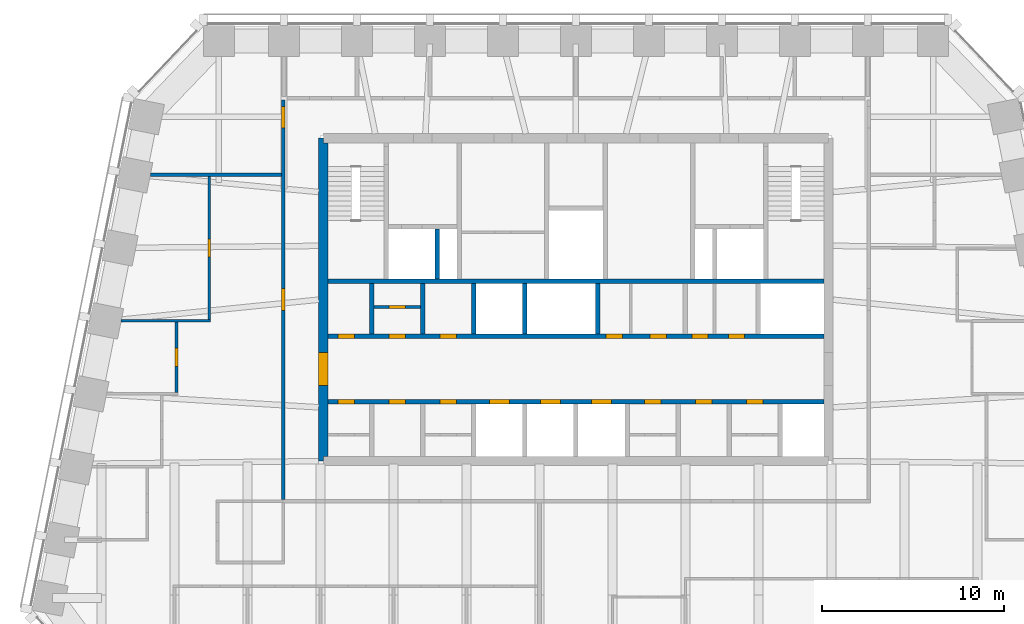
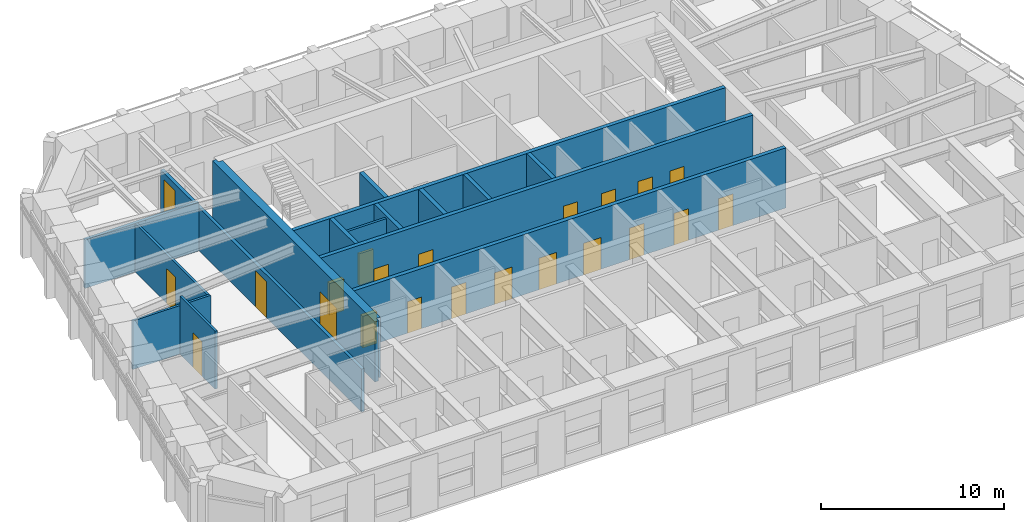
# One storey, part 6 of 12: 22 doors, 16 walls, 22 openings.
"""IFC4 building model written with IfcOpenShell, lengths in metres."""

from ifc_helpers import new_model, si_unit, direction, frame, frame_2d, origin, place, context, subcontext, project, spatial, polyline, rectangle, outline, extrude, material, layer, layer_set, type_object, element, fill, save


model = new_model("IFC4")

# Units and contexts
model_context = context("Model", 3, precision=1e-05, world=origin(), true_north=direction((0.0, 1.0)))
body_context = subcontext(model_context, "Body", "Model", "MODEL_VIEW")
ifc_project = project(units=[si_unit("LENGTHUNIT", "METRE"), si_unit("AREAUNIT", "SQUARE_METRE"), si_unit("VOLUMEUNIT", "CUBIC_METRE"), si_unit("PLANEANGLEUNIT", "RADIAN"), si_unit("MASSUNIT", "GRAM", prefix="KILO")], contexts=[model_context])

# Site, building, storey
site_placement = place(None, origin())
site = spatial("IfcSite", under=ifc_project, at=site_placement, CompositionType="ELEMENT")
building_placement = place(site_placement, origin())
building = spatial("IfcBuilding", under=site, at=building_placement, Name="Isbrekke Arena Tower", CompositionType="ELEMENT")
storey_placement = place(building_placement, frame((0.0, 0.0, 292.0)))
storey = spatial("IfcBuildingStorey", under=building, at=storey_placement, Name="L68", CompositionType="ELEMENT", Elevation=292.0)

# Wall, opening, door
ifc_material_1 = material(Name="Concrete B55 (C55/67)", Category="concrete")
ifc_layer_1 = layer(ifc_material_1, 0.5)
ifc_layer_set_1 = layer_set([ifc_layer_1], Name="CW5 CORE WALL 500")
wall_type_1 = type_object("IfcWallType", Name="CW5 CORE WALL 500", PredefinedType="SHEAR", material=ifc_layer_set_1)
wall_1_placement = place(storey_placement, frame((-13.85009765625, 23.85009765625, 0.0), z_axis=(0.0, 0.0, 1.0), x_axis=(0.0, -1.0, 0.0)))
wall_1 = element("IfcWall", 1, at=wall_1_placement, inside=storey, type_object=wall_type_1, Name="Core wall W L68", PredefinedType="SHEAR", context=body_context, shape_type="SweptSolid", body=[
    extrude(outline(polyline([(0.0, -0.25), (17.7001953125, -0.25), (17.7001953125, 0.0), (17.4501953125, 0.0), (17.4501953125, 0.25), (0.25, 0.25), (0.25, 0.0), (0.0, 0.0), (0.0, -0.25)])), origin(), (0.0, 0.0, 1.0), 4.0),
])
opening_1_placement = place(wall_1_placement, frame((11.75, 0.0, 0.0)))
opening_1 = element("IfcOpeningElement", 2, at=opening_1_placement, cuts=wall_1, Name="Opening D1", PredefinedType="OPENING", context=body_context, shape_type="SweptSolid", body=[
    extrude(rectangle(XDim=1.800048828125, YDim=2.39990234375, at=frame_2d((0.89990234375, 1.199951171875))), frame((0.0, 0.264892578125, 0.0), z_axis=(0.0, -1.0, 0.0), x_axis=(1.0, 0.0, 0.0)), (0.0, 0.0, 1.0), 0.52978515625),
])
ifc_material_2 = material(Name="Steel-framed glazed fire door", Category="steel")
door_type_1 = type_object("IfcDoorType", Name="D1 CORE LOBBY DOOR 1800 x 2400", OperationType="DOUBLE_DOOR_SINGLE_SWING", PredefinedType="DOOR", material=ifc_material_2)
door_1_placement = place(opening_1_placement, origin())
door_1 = element("IfcDoor", 3, at=door_1_placement, inside=storey, type_object=door_type_1, Name="D1 lift lobby door west L68", OperationType="DOUBLE_DOOR_SINGLE_SWING", OverallHeight=2.39990234375, OverallWidth=1.800048828125, PredefinedType="DOOR", context=body_context, shape_type="SweptSolid", body=[
    extrude(rectangle(XDim=1.800048828125, YDim=2.39990234375, at=frame_2d((0.89990234375, 1.199951171875))), frame((0.0, 0.249755859375, 0.0), z_axis=(0.0, -1.0, 0.0), x_axis=(1.0, 0.0, 0.0)), (0.0, 0.0, 1.0), 0.49951171875),
])
fill(opening_1, door_1)

# Wall, openings, doors
ifc_material_3 = material(Name="Concrete B45 (C45/55)", Category="concrete")
ifc_layer_2 = layer(ifc_material_3, 0.25)
ifc_layer_set_2 = layer_set([ifc_layer_2], Name="CW6 SHAFT WALL 250")
wall_type_2 = type_object("IfcWallType", Name="CW6 SHAFT WALL 250", PredefinedType="SHEAR", material=ifc_layer_set_2)
wall_2_placement = place(storey_placement, frame((-13.60009765625, 9.39990234375, 0.0), z_axis=(0.0, 0.0, 1.0), x_axis=(1.0, 0.0, 0.0)))
wall_2 = element("IfcWall", 4, at=wall_2_placement, inside=storey, type_object=wall_type_2, Name="Core wall LS L68", PredefinedType="SHEAR", context=body_context, shape_type="SweptSolid", body=[
    extrude(rectangle(XDim=27.2001953125, YDim=0.25, at=frame_2d((13.60009765625, 0.0))), origin(), (0.0, 0.0, 1.0), 4.0),
])
opening_2_placement = place(wall_2_placement, frame((8.85009765625, 0.0, 0.0)))
opening_2 = element("IfcOpeningElement", 5, at=opening_2_placement, cuts=wall_2, Name="Opening LD1", PredefinedType="OPENING", context=body_context, shape_type="SweptSolid", body=[
    extrude(rectangle(XDim=1.10009765625, YDim=2.10009765625, at=frame_2d((0.550048828125, 1.050048828125))), frame((0.0, 0.139892578125, 0.0), z_axis=(0.0, -1.0, 0.0), x_axis=(1.0, 0.0, 0.0)), (0.0, 0.0, 1.0), 0.27978515625),
])
opening_3_placement = place(wall_2_placement, frame((11.64990234375, 0.0, 0.0)))
opening_3 = element("IfcOpeningElement", 6, at=opening_3_placement, cuts=wall_2, Name="Opening LD1", PredefinedType="OPENING", context=body_context, shape_type="SweptSolid", body=[
    extrude(rectangle(XDim=1.10009765625, YDim=2.10009765625, at=frame_2d((0.550048828125, 1.050048828125))), frame((0.0, 0.139892578125, 0.0), z_axis=(0.0, -1.0, 0.0), x_axis=(1.0, 0.0, 0.0)), (0.0, 0.0, 1.0), 0.27978515625),
])
opening_4_placement = place(wall_2_placement, frame((14.449951171875, 0.0, 0.0)))
opening_4 = element("IfcOpeningElement", 7, at=opening_4_placement, cuts=wall_2, Name="Opening LD1", PredefinedType="OPENING", context=body_context, shape_type="SweptSolid", body=[
    extrude(rectangle(XDim=1.10009765625, YDim=2.10009765625, at=frame_2d((0.550048828125, 1.050048828125))), frame((0.0, 0.139892578125, 0.0), z_axis=(0.0, -1.0, 0.0), x_axis=(1.0, 0.0, 0.0)), (0.0, 0.0, 1.0), 0.27978515625),
])
opening_5_placement = place(wall_2_placement, frame((0.550048828125, 0.0, 0.0)))
opening_5 = element("IfcOpeningElement", 8, at=opening_5_placement, cuts=wall_2, Name="Opening D5", PredefinedType="OPENING", context=body_context, shape_type="SweptSolid", body=[
    extrude(rectangle(XDim=0.89990234375, YDim=2.10009765625, at=frame_2d((0.449951171875, 1.050048828125))), frame((0.0, 0.139892578125, 0.0), z_axis=(0.0, -1.0, 0.0), x_axis=(1.0, 0.0, 0.0)), (0.0, 0.0, 1.0), 0.27978515625),
])
opening_6_placement = place(wall_2_placement, frame((3.35009765625, 0.0, 0.0)))
opening_6 = element("IfcOpeningElement", 9, at=opening_6_placement, cuts=wall_2, Name="Opening D5", PredefinedType="OPENING", context=body_context, shape_type="SweptSolid", body=[
    extrude(rectangle(XDim=0.89990234375, YDim=2.10009765625, at=frame_2d((0.449951171875, 1.050048828125))), frame((0.0, 0.139892578125, 0.0), z_axis=(0.0, -1.0, 0.0), x_axis=(1.0, 0.0, 0.0)), (0.0, 0.0, 1.0), 0.27978515625),
])
opening_7_placement = place(wall_2_placement, frame((6.14990234375, 0.0, 0.0)))
opening_7 = element("IfcOpeningElement", 10, at=opening_7_placement, cuts=wall_2, Name="Opening D5", PredefinedType="OPENING", context=body_context, shape_type="SweptSolid", body=[
    extrude(rectangle(XDim=0.89990234375, YDim=2.10009765625, at=frame_2d((0.449951171875, 1.050048828125))), frame((0.0, 0.139892578125, 0.0), z_axis=(0.0, -1.0, 0.0), x_axis=(1.0, 0.0, 0.0)), (0.0, 0.0, 1.0), 0.27978515625),
])
opening_8_placement = place(wall_2_placement, frame((17.35009765625, 0.0, 0.0)))
opening_8 = element("IfcOpeningElement", 11, at=opening_8_placement, cuts=wall_2, Name="Opening D5", PredefinedType="OPENING", context=body_context, shape_type="SweptSolid", body=[
    extrude(rectangle(XDim=0.89990234375, YDim=2.10009765625, at=frame_2d((0.449951171875, 1.050048828125))), frame((0.0, 0.139892578125, 0.0), z_axis=(0.0, -1.0, 0.0), x_axis=(1.0, 0.0, 0.0)), (0.0, 0.0, 1.0), 0.27978515625),
])
opening_9_placement = place(wall_2_placement, frame((20.14990234375, 0.0, 0.0)))
opening_9 = element("IfcOpeningElement", 12, at=opening_9_placement, cuts=wall_2, Name="Opening D5", PredefinedType="OPENING", context=body_context, shape_type="SweptSolid", body=[
    extrude(rectangle(XDim=0.89990234375, YDim=2.10009765625, at=frame_2d((0.449951171875, 1.050048828125))), frame((0.0, 0.139892578125, 0.0), z_axis=(0.0, -1.0, 0.0), x_axis=(1.0, 0.0, 0.0)), (0.0, 0.0, 1.0), 0.27978515625),
])
opening_10_placement = place(wall_2_placement, frame((22.949951171875, 0.0, 0.0)))
opening_10 = element("IfcOpeningElement", 13, at=opening_10_placement, cuts=wall_2, Name="Opening D5", PredefinedType="OPENING", context=body_context, shape_type="SweptSolid", body=[
    extrude(rectangle(XDim=0.89990234375, YDim=2.10009765625, at=frame_2d((0.449951171875, 1.050048828125))), frame((0.0, 0.139892578125, 0.0), z_axis=(0.0, -1.0, 0.0), x_axis=(1.0, 0.0, 0.0)), (0.0, 0.0, 1.0), 0.27978515625),
])
ifc_material_4 = material(Name="Steel fire door", Category="steel")
door_type_2 = type_object("IfcDoorType", Name="D5 SERVICE DOOR 900 x 2100", OperationType="SINGLE_SWING_LEFT", PredefinedType="DOOR", material=ifc_material_4)
door_2_placement = place(opening_5_placement, origin())
door_2 = element("IfcDoor", 14, at=door_2_placement, inside=storey, type_object=door_type_2, Name="D5 first-aid room door L68", OperationType="SINGLE_SWING_LEFT", OverallHeight=2.10009765625, OverallWidth=0.89990234375, PredefinedType="DOOR", context=body_context, shape_type="SweptSolid", body=[
    extrude(rectangle(XDim=0.89990234375, YDim=2.10009765625, at=frame_2d((0.449951171875, 1.050048828125))), frame((0.0, 0.124755859375, 0.0), z_axis=(0.0, -1.0, 0.0), x_axis=(1.0, 0.0, 0.0)), (0.0, 0.0, 1.0), 0.24951171875),
])
fill(opening_5, door_2)
door_3_placement = place(opening_6_placement, origin())
door_3 = element("IfcDoor", 15, at=door_3_placement, inside=storey, type_object=door_type_2, Name="D5 tenant store door L68", OperationType="SINGLE_SWING_LEFT", OverallHeight=2.10009765625, OverallWidth=0.89990234375, PredefinedType="DOOR", context=body_context, shape_type="SweptSolid", body=[
    extrude(rectangle(XDim=0.89990234375, YDim=2.10009765625, at=frame_2d((0.449951171875, 1.050048828125))), frame((0.0, 0.124755859375, 0.0), z_axis=(0.0, -1.0, 0.0), x_axis=(1.0, 0.0, 0.0)), (0.0, 0.0, 1.0), 0.24951171875),
])
fill(opening_6, door_3)
door_4_placement = place(opening_7_placement, origin())
door_4 = element("IfcDoor", 16, at=door_4_placement, inside=storey, type_object=door_type_2, Name="D5 print room door L68", OperationType="SINGLE_SWING_LEFT", OverallHeight=2.10009765625, OverallWidth=0.89990234375, PredefinedType="DOOR", context=body_context, shape_type="SweptSolid", body=[
    extrude(rectangle(XDim=0.89990234375, YDim=2.10009765625, at=frame_2d((0.449951171875, 1.050048828125))), frame((0.0, 0.124755859375, 0.0), z_axis=(0.0, -1.0, 0.0), x_axis=(1.0, 0.0, 0.0)), (0.0, 0.0, 1.0), 0.24951171875),
])
fill(opening_7, door_4)
door_5_placement = place(opening_8_placement, origin())
door_5 = element("IfcDoor", 17, at=door_5_placement, inside=storey, type_object=door_type_2, Name="D5 mothers' room door L68", OperationType="SINGLE_SWING_LEFT", OverallHeight=2.10009765625, OverallWidth=0.89990234375, PredefinedType="DOOR", context=body_context, shape_type="SweptSolid", body=[
    extrude(rectangle(XDim=0.89990234375, YDim=2.10009765625, at=frame_2d((0.449951171875, 1.050048828125))), frame((0.0, 0.124755859375, 0.0), z_axis=(0.0, -1.0, 0.0), x_axis=(1.0, 0.0, 0.0)), (0.0, 0.0, 1.0), 0.24951171875),
])
fill(opening_8, door_5)
door_6_placement = place(opening_9_placement, origin())
door_6 = element("IfcDoor", 18, at=door_6_placement, inside=storey, type_object=door_type_2, Name="D5 print room door L68", OperationType="SINGLE_SWING_LEFT", OverallHeight=2.10009765625, OverallWidth=0.89990234375, PredefinedType="DOOR", context=body_context, shape_type="SweptSolid", body=[
    extrude(rectangle(XDim=0.89990234375, YDim=2.10009765625, at=frame_2d((0.449951171875, 1.050048828125))), frame((0.0, 0.124755859375, 0.0), z_axis=(0.0, -1.0, 0.0), x_axis=(1.0, 0.0, 0.0)), (0.0, 0.0, 1.0), 0.24951171875),
])
fill(opening_9, door_6)
door_7_placement = place(opening_10_placement, origin())
door_7 = element("IfcDoor", 19, at=door_7_placement, inside=storey, type_object=door_type_2, Name="D5 pantry door L68", OperationType="SINGLE_SWING_LEFT", OverallHeight=2.10009765625, OverallWidth=0.89990234375, PredefinedType="DOOR", context=body_context, shape_type="SweptSolid", body=[
    extrude(rectangle(XDim=0.89990234375, YDim=2.10009765625, at=frame_2d((0.449951171875, 1.050048828125))), frame((0.0, 0.124755859375, 0.0), z_axis=(0.0, -1.0, 0.0), x_axis=(1.0, 0.0, 0.0)), (0.0, 0.0, 1.0), 0.24951171875),
])
fill(opening_10, door_7)
ifc_material_5 = material(Name="Stainless steel lift landing door", Category="steel")
door_type_3 = type_object("IfcDoorType", Name="LD1 LIFT LANDING DOOR 1100 x 2100", OperationType="SLIDING_TO_LEFT", PredefinedType="DOOR", material=ifc_material_5)
door_8_placement = place(opening_2_placement, origin())
door_8 = element("IfcDoor", 20, at=door_8_placement, inside=storey, type_object=door_type_3, Name="LD1 lift landing door LE L68", OperationType="SLIDING_TO_LEFT", OverallHeight=2.10009765625, OverallWidth=1.10009765625, PredefinedType="DOOR", context=body_context, shape_type="SweptSolid", body=[
    extrude(rectangle(XDim=1.10009765625, YDim=2.10009765625, at=frame_2d((0.550048828125, 1.050048828125))), frame((0.0, 0.124755859375, 0.0), z_axis=(0.0, -1.0, 0.0), x_axis=(1.0, 0.0, 0.0)), (0.0, 0.0, 1.0), 0.24951171875),
])
fill(opening_2, door_8)
door_9_placement = place(opening_3_placement, origin())
door_9 = element("IfcDoor", 21, at=door_9_placement, inside=storey, type_object=door_type_3, Name="LD1 lift landing door LE L68", OperationType="SLIDING_TO_LEFT", OverallHeight=2.10009765625, OverallWidth=1.10009765625, PredefinedType="DOOR", context=body_context, shape_type="SweptSolid", body=[
    extrude(rectangle(XDim=1.10009765625, YDim=2.10009765625, at=frame_2d((0.550048828125, 1.050048828125))), frame((0.0, 0.124755859375, 0.0), z_axis=(0.0, -1.0, 0.0), x_axis=(1.0, 0.0, 0.0)), (0.0, 0.0, 1.0), 0.24951171875),
])
fill(opening_3, door_9)
door_10_placement = place(opening_4_placement, origin())
door_10 = element("IfcDoor", 22, at=door_10_placement, inside=storey, type_object=door_type_3, Name="LD1 lift landing door LE L68", OperationType="SLIDING_TO_LEFT", OverallHeight=2.10009765625, OverallWidth=1.10009765625, PredefinedType="DOOR", context=body_context, shape_type="SweptSolid", body=[
    extrude(rectangle(XDim=1.10009765625, YDim=2.10009765625, at=frame_2d((0.550048828125, 1.050048828125))), frame((0.0, 0.124755859375, 0.0), z_axis=(0.0, -1.0, 0.0), x_axis=(1.0, 0.0, 0.0)), (0.0, 0.0, 1.0), 0.24951171875),
])
fill(opening_4, door_10)

wall_3_placement = place(storey_placement, frame((-13.60009765625, 13.0, 0.0), z_axis=(0.0, 0.0, 1.0), x_axis=(1.0, 0.0, 0.0)))
wall_3 = element("IfcWall", 23, at=wall_3_placement, inside=storey, type_object=wall_type_2, Name="Core wall LN L68", PredefinedType="SHEAR", context=body_context, shape_type="SweptSolid", body=[
    extrude(rectangle(XDim=27.2001953125, YDim=0.25, at=frame_2d((13.60009765625, 0.0))), origin(), (0.0, 0.0, 1.0), 4.0),
])
opening_11_placement = place(wall_3_placement, frame((15.25, 0.0, 0.0)))
opening_11 = element("IfcOpeningElement", 24, at=opening_11_placement, cuts=wall_3, Name="Opening D5", PredefinedType="OPENING", context=body_context, shape_type="SweptSolid", body=[
    extrude(rectangle(XDim=0.89990234375, YDim=2.10009765625, at=frame_2d((0.449951171875, 1.050048828125))), frame((0.0, 0.139892578125, 0.0), z_axis=(0.0, -1.0, 0.0), x_axis=(1.0, 0.0, 0.0)), (0.0, 0.0, 1.0), 0.27978515625),
])
opening_12_placement = place(wall_3_placement, frame((17.64990234375, 0.0, 0.0)))
opening_12 = element("IfcOpeningElement", 25, at=opening_12_placement, cuts=wall_3, Name="Opening D5", PredefinedType="OPENING", context=body_context, shape_type="SweptSolid", body=[
    extrude(rectangle(XDim=0.89990234375, YDim=2.10009765625, at=frame_2d((0.449951171875, 1.050048828125))), frame((0.0, 0.139892578125, 0.0), z_axis=(0.0, -1.0, 0.0), x_axis=(1.0, 0.0, 0.0)), (0.0, 0.0, 1.0), 0.27978515625),
])
opening_13_placement = place(wall_3_placement, frame((19.949951171875, 0.0, 0.0)))
opening_13 = element("IfcOpeningElement", 26, at=opening_13_placement, cuts=wall_3, Name="Opening D5", PredefinedType="OPENING", context=body_context, shape_type="SweptSolid", body=[
    extrude(rectangle(XDim=0.89990234375, YDim=2.10009765625, at=frame_2d((0.449951171875, 1.050048828125))), frame((0.0, 0.139892578125, 0.0), z_axis=(0.0, -1.0, 0.0), x_axis=(1.0, 0.0, 0.0)), (0.0, 0.0, 1.0), 0.27978515625),
])
opening_14_placement = place(wall_3_placement, frame((21.949951171875, 0.0, 0.0)))
opening_14 = element("IfcOpeningElement", 27, at=opening_14_placement, cuts=wall_3, Name="Opening D5", PredefinedType="OPENING", context=body_context, shape_type="SweptSolid", body=[
    extrude(rectangle(XDim=0.89990234375, YDim=2.10009765625, at=frame_2d((0.449951171875, 1.050048828125))), frame((0.0, 0.139892578125, 0.0), z_axis=(0.0, -1.0, 0.0), x_axis=(1.0, 0.0, 0.0)), (0.0, 0.0, 1.0), 0.27978515625),
])
opening_15_placement = place(wall_3_placement, frame((0.550048828125, 0.0, 0.0)))
opening_15 = element("IfcOpeningElement", 28, at=opening_15_placement, cuts=wall_3, Name="Opening D5", PredefinedType="OPENING", context=body_context, shape_type="SweptSolid", body=[
    extrude(rectangle(XDim=0.89990234375, YDim=2.10009765625, at=frame_2d((0.449951171875, 1.050048828125))), frame((0.0, 0.139892578125, 0.0), z_axis=(0.0, -1.0, 0.0), x_axis=(1.0, 0.0, 0.0)), (0.0, 0.0, 1.0), 0.27978515625),
])
opening_16_placement = place(wall_3_placement, frame((3.35009765625, 0.0, 0.0)))
opening_16 = element("IfcOpeningElement", 29, at=opening_16_placement, cuts=wall_3, Name="Opening D5", PredefinedType="OPENING", context=body_context, shape_type="SweptSolid", body=[
    extrude(rectangle(XDim=0.89990234375, YDim=2.10009765625, at=frame_2d((0.449951171875, 1.050048828125))), frame((0.0, 0.139892578125, 0.0), z_axis=(0.0, -1.0, 0.0), x_axis=(1.0, 0.0, 0.0)), (0.0, 0.0, 1.0), 0.27978515625),
])
opening_17_placement = place(wall_3_placement, frame((6.14990234375, 0.0, 0.0)))
opening_17 = element("IfcOpeningElement", 30, at=opening_17_placement, cuts=wall_3, Name="Opening D5", PredefinedType="OPENING", context=body_context, shape_type="SweptSolid", body=[
    extrude(rectangle(XDim=0.89990234375, YDim=2.10009765625, at=frame_2d((0.449951171875, 1.050048828125))), frame((0.0, 0.139892578125, 0.0), z_axis=(0.0, -1.0, 0.0), x_axis=(1.0, 0.0, 0.0)), (0.0, 0.0, 1.0), 0.27978515625),
])
door_11_placement = place(opening_11_placement, origin())
door_11 = element("IfcDoor", 31, at=door_11_placement, inside=storey, type_object=door_type_2, Name="D5 first-aid room door L68", OperationType="SINGLE_SWING_LEFT", OverallHeight=2.10009765625, OverallWidth=0.89990234375, PredefinedType="DOOR", context=body_context, shape_type="SweptSolid", body=[
    extrude(rectangle(XDim=0.89990234375, YDim=2.10009765625, at=frame_2d((0.449951171875, 1.050048828125))), frame((0.0, 0.124755859375, 0.0), z_axis=(0.0, -1.0, 0.0), x_axis=(1.0, 0.0, 0.0)), (0.0, 0.0, 1.0), 0.24951171875),
])
fill(opening_11, door_11)
door_12_placement = place(opening_12_placement, origin())
door_12 = element("IfcDoor", 32, at=door_12_placement, inside=storey, type_object=door_type_2, Name="D5 cleaner's store door L68", OperationType="SINGLE_SWING_LEFT", OverallHeight=2.10009765625, OverallWidth=0.89990234375, PredefinedType="DOOR", context=body_context, shape_type="SweptSolid", body=[
    extrude(rectangle(XDim=0.89990234375, YDim=2.10009765625, at=frame_2d((0.449951171875, 1.050048828125))), frame((0.0, 0.124755859375, 0.0), z_axis=(0.0, -1.0, 0.0), x_axis=(1.0, 0.0, 0.0)), (0.0, 0.0, 1.0), 0.24951171875),
])
fill(opening_12, door_12)
door_13_placement = place(opening_13_placement, origin())
door_13 = element("IfcDoor", 33, at=door_13_placement, inside=storey, type_object=door_type_2, Name="D5 tenant store door L68", OperationType="SINGLE_SWING_LEFT", OverallHeight=2.10009765625, OverallWidth=0.89990234375, PredefinedType="DOOR", context=body_context, shape_type="SweptSolid", body=[
    extrude(rectangle(XDim=0.89990234375, YDim=2.10009765625, at=frame_2d((0.449951171875, 1.050048828125))), frame((0.0, 0.124755859375, 0.0), z_axis=(0.0, -1.0, 0.0), x_axis=(1.0, 0.0, 0.0)), (0.0, 0.0, 1.0), 0.24951171875),
])
fill(opening_13, door_13)
door_14_placement = place(opening_14_placement, origin())
door_14 = element("IfcDoor", 34, at=door_14_placement, inside=storey, type_object=door_type_2, Name="D5 communications room door L68", OperationType="SINGLE_SWING_LEFT", OverallHeight=2.10009765625, OverallWidth=0.89990234375, PredefinedType="DOOR", context=body_context, shape_type="SweptSolid", body=[
    extrude(rectangle(XDim=0.89990234375, YDim=2.10009765625, at=frame_2d((0.449951171875, 1.050048828125))), frame((0.0, 0.124755859375, 0.0), z_axis=(0.0, -1.0, 0.0), x_axis=(1.0, 0.0, 0.0)), (0.0, 0.0, 1.0), 0.24951171875),
])
fill(opening_14, door_14)
door_15_placement = place(opening_15_placement, origin())
door_15 = element("IfcDoor", 35, at=door_15_placement, inside=storey, type_object=door_type_2, Name="D5 archive door L68", OperationType="SINGLE_SWING_LEFT", OverallHeight=2.10009765625, OverallWidth=0.89990234375, PredefinedType="DOOR", context=body_context, shape_type="SweptSolid", body=[
    extrude(rectangle(XDim=0.89990234375, YDim=2.10009765625, at=frame_2d((0.449951171875, 1.050048828125))), frame((0.0, 0.124755859375, 0.0), z_axis=(0.0, -1.0, 0.0), x_axis=(1.0, 0.0, 0.0)), (0.0, 0.0, 1.0), 0.24951171875),
])
fill(opening_15, door_15)
door_16_placement = place(opening_16_placement, origin())
door_16 = element("IfcDoor", 36, at=door_16_placement, inside=storey, type_object=door_type_2, Name="D5 pantry door L68", OperationType="SINGLE_SWING_LEFT", OverallHeight=2.10009765625, OverallWidth=0.89990234375, PredefinedType="DOOR", context=body_context, shape_type="SweptSolid", body=[
    extrude(rectangle(XDim=0.89990234375, YDim=2.10009765625, at=frame_2d((0.449951171875, 1.050048828125))), frame((0.0, 0.124755859375, 0.0), z_axis=(0.0, -1.0, 0.0), x_axis=(1.0, 0.0, 0.0)), (0.0, 0.0, 1.0), 0.24951171875),
])
fill(opening_16, door_16)
door_17_placement = place(opening_17_placement, origin())
door_17 = element("IfcDoor", 37, at=door_17_placement, inside=storey, type_object=door_type_2, Name="D5 technical room door L68", OperationType="SINGLE_SWING_LEFT", OverallHeight=2.10009765625, OverallWidth=0.89990234375, PredefinedType="DOOR", context=body_context, shape_type="SweptSolid", body=[
    extrude(rectangle(XDim=0.89990234375, YDim=2.10009765625, at=frame_2d((0.449951171875, 1.050048828125))), frame((0.0, 0.124755859375, 0.0), z_axis=(0.0, -1.0, 0.0), x_axis=(1.0, 0.0, 0.0)), (0.0, 0.0, 1.0), 0.24951171875),
])
fill(opening_17, door_17)

# Walls
wall_4_placement = place(storey_placement, frame((-13.60009765625, 16.0, 0.0), z_axis=(0.0, 0.0, 1.0), x_axis=(1.0, 0.0, 0.0)))
element("IfcWall", 38, at=wall_4_placement, inside=storey, type_object=wall_type_2, Name="Core wall NB L68", PredefinedType="SHEAR", context=body_context, shape_type="SweptSolid", body=[
    extrude(rectangle(XDim=27.2001953125, YDim=0.25, at=frame_2d((13.60009765625, 0.0))), origin(), (0.0, 0.0, 1.0), 4.0),
])
for number, where, z_axis, x_axis, name in (
    (39, (-11.199951171875, 13.125, 0.0), (0.0, 0.0, 1.0), (0.0, 1.0, 0.0), "Core wall SN01 L68"),
    (40, (-8.39990234375, 13.125, 0.0), (0.0, 0.0, 1.0), (0.0, 1.0, 0.0), "Core wall SN02 L68"),
    (41, (-5.60009765625, 13.125, 0.0), (0.0, 0.0, 1.0), (0.0, 1.0, 0.0), "Core wall SN03 L68"),
    (42, (-2.800048828125, 13.125, 0.0), (0.0, 0.0, 1.0), (0.0, 1.0, 0.0), "Core wall SN04 L68"),
    (43, (1.199951171875, 13.125, 0.0), (0.0, 0.0, 1.0), (0.0, 1.0, 0.0), "Core wall SN05 L68"),
    (44, (-7.60009765625, 16.125, 0.0), (0.0, 0.0, 1.0), (0.0, 1.0, 0.0), "Core wall NFS1 L68"),
):
    element("IfcWall", number, at=place(storey_placement, frame(where, z_axis=z_axis, x_axis=x_axis)), inside=storey, type_object=wall_type_2, Name=name, PredefinedType="SHEAR", context=body_context, shape_type="SweptSolid", body=[
        extrude(rectangle(XDim=2.75, YDim=0.25, at=frame_2d((1.375, 0.0))), origin(), (0.0, 0.0, 1.0), 4.0),
    ])
ifc_material_6 = material(Name="Gypsum board partition on steel studs", Category="steel")
ifc_layer_3 = layer(ifc_material_6, 0.14990234375)
ifc_layer_set_3 = layer_set([ifc_layer_3], Name="IW1 PARTITION 150")
wall_type_3 = type_object("IfcWallType", Name="IW1 PARTITION 150", PredefinedType="PARTITIONING", material=ifc_layer_set_3)
wall_5_placement = place(storey_placement, frame((-24.923828125, 13.840087890625, 0.0), z_axis=(0.0, 0.0, 1.0), x_axis=(1.0, 0.0, 0.0)))
element("IfcWall", 45, at=wall_5_placement, inside=storey, type_object=wall_type_3, Name="IW1 partition 150 L68", PredefinedType="PARTITIONING", context=body_context, shape_type="SweptSolid", body=[
    extrude(rectangle(XDim=4.89892578125, YDim=0.14990234375, at=frame_2d((2.449462890625, 0.0))), origin(), (0.0, 0.0, 1.0), 3.22998046875),
])

# Wall, opening, door
wall_6_placement = place(storey_placement, frame((-21.89990234375, 9.9150390625, 0.0), z_axis=(0.0, 0.0, 1.0), x_axis=(0.0, 1.0, 0.0)))
wall_6 = element("IfcWall", 46, at=wall_6_placement, inside=storey, type_object=wall_type_3, Name="IW1 partition 150 L68", PredefinedType="PARTITIONING", context=body_context, shape_type="SweptSolid", body=[
    extrude(rectangle(XDim=3.849853515625, YDim=0.14990234375, at=frame_2d((1.9248046875, 0.0))), origin(), (0.0, 0.0, 1.0), 3.85009765625),
])
opening_18_placement = place(wall_6_placement, frame((1.425048828125, 0.0, 0.0)))
opening_18 = element("IfcOpeningElement", 47, at=opening_18_placement, cuts=wall_6, Name="Opening D10", PredefinedType="OPENING", context=body_context, shape_type="SweptSolid", body=[
    extrude(rectangle(XDim=1.0, YDim=2.300048828125, at=frame_2d((0.5, 1.14990234375))), frame((0.0, 0.08984375, 0.0), z_axis=(0.0, -1.0, 0.0), x_axis=(1.0, 0.0, 0.0)), (0.0, 0.0, 1.0), 0.1796875),
])
ifc_material_7 = material(Name="Timber door", Category="wood")
door_type_4 = type_object("IfcDoorType", Name="D10 OFFICE DOOR 1000 x 2300", OperationType="SINGLE_SWING_LEFT", PredefinedType="DOOR", material=ifc_material_7)
door_18_placement = place(opening_18_placement, origin())
door_18 = element("IfcDoor", 48, at=door_18_placement, inside=storey, type_object=door_type_4, Name="D10 office door L68", OperationType="SINGLE_SWING_LEFT", OverallHeight=2.300048828125, OverallWidth=1.0, PredefinedType="DOOR", context=body_context, shape_type="SweptSolid", body=[
    extrude(rectangle(XDim=1.0, YDim=2.300048828125, at=frame_2d((0.5, 1.14990234375))), frame((0.0, 0.07470703125, 0.0), z_axis=(0.0, -1.0, 0.0), x_axis=(1.0, 0.0, 0.0)), (0.0, 0.0, 1.0), 0.1494140625),
])
fill(opening_18, door_18)

wall_7_placement = place(storey_placement, frame((-20.10009765625, 13.9150390625, 0.0), z_axis=(0.0, 0.0, 1.0), x_axis=(0.0, 1.0, 0.0)))
wall_7 = element("IfcWall", 49, at=wall_7_placement, inside=storey, type_object=wall_type_3, Name="IW1 partition 150 L68", PredefinedType="PARTITIONING", context=body_context, shape_type="SweptSolid", body=[
    extrude(rectangle(XDim=7.824951171875, YDim=0.14990234375, at=frame_2d((3.91259765625, 0.0))), origin(), (0.0, 0.0, 1.0), 3.22998046875),
])
opening_19_placement = place(wall_7_placement, frame((3.425048828125, 0.0, 0.0)))
opening_19 = element("IfcOpeningElement", 50, at=opening_19_placement, cuts=wall_7, Name="Opening D10", PredefinedType="OPENING", context=body_context, shape_type="SweptSolid", body=[
    extrude(rectangle(XDim=1.0, YDim=2.300048828125, at=frame_2d((0.5, 1.14990234375))), frame((0.0, 0.08984375, 0.0), z_axis=(0.0, -1.0, 0.0), x_axis=(1.0, 0.0, 0.0)), (0.0, 0.0, 1.0), 0.1796875),
])
door_19_placement = place(opening_19_placement, origin())
door_19 = element("IfcDoor", 51, at=door_19_placement, inside=storey, type_object=door_type_4, Name="D10 library door L68", OperationType="SINGLE_SWING_LEFT", OverallHeight=2.300048828125, OverallWidth=1.0, PredefinedType="DOOR", context=body_context, shape_type="SweptSolid", body=[
    extrude(rectangle(XDim=1.0, YDim=2.300048828125, at=frame_2d((0.5, 1.14990234375))), frame((0.0, 0.07470703125, 0.0), z_axis=(0.0, -1.0, 0.0), x_axis=(1.0, 0.0, 0.0)), (0.0, 0.0, 1.0), 0.1494140625),
])
fill(opening_19, door_19)

# Wall
ifc_material_8 = material(Name="Gypsum board fire-cell wall on steel studs, two layers each side", Category="steel")
ifc_layer_4 = layer(ifc_material_8, 0.199951171875)
ifc_layer_set_4 = layer_set([ifc_layer_4], Name="IW3 FIRE-CELL WALL 200")
wall_type_4 = type_object("IfcWallType", Name="IW3 FIRE-CELL WALL 200", PredefinedType="PARTITIONING", material=ifc_layer_set_4)
wall_8_placement = place(storey_placement, frame((-23.32373046875, 21.840087890625, 0.0), z_axis=(0.0, 0.0, 1.0), x_axis=(1.0, 0.0, 0.0)))
element("IfcWall", 52, at=wall_8_placement, inside=storey, type_object=wall_type_4, Name="IW3 fire-cell wall 200 L68", PredefinedType="PARTITIONING", context=body_context, shape_type="SweptSolid", body=[
    extrude(rectangle(XDim=7.173828125, YDim=0.199951171875, at=frame_2d((3.5869140625, 0.0))), origin(), (0.0, 0.0, 1.0), 3.22998046875),
])

# Wall, openings, doors
wall_9_placement = place(storey_placement, frame((-16.050048828125, 4.050048828125, 0.0), z_axis=(0.0, 0.0, 1.0), x_axis=(0.0, 1.0, 0.0)))
wall_9 = element("IfcWall", 53, at=wall_9_placement, inside=storey, type_object=wall_type_4, Name="IW3 fire-cell wall 200 L68", PredefinedType="PARTITIONING", context=body_context, shape_type="SweptSolid", body=[
    extrude(rectangle(XDim=21.89990234375, YDim=0.199951171875, at=frame_2d((10.949951171875, 0.0))), origin(), (0.0, 0.0, 1.0), 2.842041015625),
])
opening_20_placement = place(wall_9_placement, frame((20.35009765625, 0.0, 0.0)))
opening_20 = element("IfcOpeningElement", 54, at=opening_20_placement, cuts=wall_9, Name="Opening D12", PredefinedType="OPENING", context=body_context, shape_type="SweptSolid", body=[
    extrude(rectangle(XDim=1.199951171875, YDim=2.39990234375, at=frame_2d((0.60009765625, 1.199951171875))), frame((0.0, 0.11474609375, 0.0), z_axis=(0.0, -1.0, 0.0), x_axis=(1.0, 0.0, 0.0)), (0.0, 0.0, 1.0), 0.229736328125),
])
opening_21_placement = place(wall_9_placement, frame((10.35009765625, 0.0, 0.0)))
opening_21 = element("IfcOpeningElement", 55, at=opening_21_placement, cuts=wall_9, Name="Opening D12", PredefinedType="OPENING", context=body_context, shape_type="SweptSolid", body=[
    extrude(rectangle(XDim=1.199951171875, YDim=2.39990234375, at=frame_2d((0.60009765625, 1.199951171875))), frame((0.0, 0.11474609375, 0.0), z_axis=(0.0, -1.0, 0.0), x_axis=(1.0, 0.0, 0.0)), (0.0, 0.0, 1.0), 0.229736328125),
])
ifc_material_9 = material(Name="Timber fire door with vision panel", Category="wood")
door_type_5 = type_object("IfcDoorType", Name="D12 SUITE ENTRANCE DOOR 1200 x 2400", OperationType="SINGLE_SWING_LEFT", PredefinedType="DOOR", material=ifc_material_9)
door_20_placement = place(opening_20_placement, origin())
door_20 = element("IfcDoor", 56, at=door_20_placement, inside=storey, type_object=door_type_5, Name="D12 suite entrance NCW door L68", OperationType="SINGLE_SWING_LEFT", OverallHeight=2.39990234375, OverallWidth=1.199951171875, PredefinedType="DOOR", context=body_context, shape_type="SweptSolid", body=[
    extrude(rectangle(XDim=1.199951171875, YDim=2.39990234375, at=frame_2d((0.60009765625, 1.199951171875))), frame((0.0, 0.099609375, 0.0), z_axis=(0.0, -1.0, 0.0), x_axis=(1.0, 0.0, 0.0)), (0.0, 0.0, 1.0), 0.199462890625),
])
fill(opening_20, door_20)
door_21_placement = place(opening_21_placement, origin())
door_21 = element("IfcDoor", 57, at=door_21_placement, inside=storey, type_object=door_type_5, Name="D12 suite entrance W door L68", OperationType="SINGLE_SWING_LEFT", OverallHeight=2.39990234375, OverallWidth=1.199951171875, PredefinedType="DOOR", context=body_context, shape_type="SweptSolid", body=[
    extrude(rectangle(XDim=1.199951171875, YDim=2.39990234375, at=frame_2d((0.60009765625, 1.199951171875))), frame((0.0, 0.099609375, 0.0), z_axis=(0.0, -1.0, 0.0), x_axis=(1.0, 0.0, 0.0)), (0.0, 0.0, 1.0), 0.199462890625),
])
fill(opening_21, door_21)

# Wall, opening, door
ifc_material_10 = material(Name="Gypsum board fire-rated partition on steel studs, two layers each side", Category="steel")
ifc_layer_5 = layer(ifc_material_10, 0.14990234375)
ifc_layer_set_5 = layer_set([ifc_layer_5], Name="IW5 FIRE-RATED PARTITION 150")
wall_type_5 = type_object("IfcWallType", Name="IW5 FIRE-RATED PARTITION 150", PredefinedType="PARTITIONING", material=ifc_layer_set_5)
wall_10_placement = place(storey_placement, frame((-11.074951171875, 14.60009765625, 0.0), z_axis=(0.0, 0.0, 1.0), x_axis=(1.0, 0.0, 0.0)))
wall_10 = element("IfcWall", 58, at=wall_10_placement, inside=storey, type_object=wall_type_5, Name="IW5 fire-rated partition L68 core service rooms 3", PredefinedType="PARTITIONING", context=body_context, shape_type="SweptSolid", body=[
    extrude(rectangle(XDim=2.550048828125, YDim=0.14990234375, at=frame_2d((1.27490234375, 0.0))), origin(), (0.0, 0.0, 1.0), 3.85009765625),
])
opening_22_placement = place(wall_10_placement, frame((0.824951171875, 0.0, 0.0)))
opening_22 = element("IfcOpeningElement", 59, at=opening_22_placement, cuts=wall_10, Name="Opening D5", PredefinedType="OPENING", context=body_context, shape_type="SweptSolid", body=[
    extrude(rectangle(XDim=0.89990234375, YDim=2.10009765625, at=frame_2d((0.449951171875, 1.050048828125))), frame((0.0, 0.08984375, 0.0), z_axis=(0.0, -1.0, 0.0), x_axis=(1.0, 0.0, 0.0)), (0.0, 0.0, 1.0), 0.1796875),
])
door_22_placement = place(opening_22_placement, origin())
door_22 = element("IfcDoor", 60, at=door_22_placement, inside=storey, type_object=door_type_2, Name="D5 tenant store door L68", OperationType="SINGLE_SWING_LEFT", OverallHeight=2.10009765625, OverallWidth=0.89990234375, PredefinedType="DOOR", context=body_context, shape_type="SweptSolid", body=[
    extrude(rectangle(XDim=0.89990234375, YDim=2.10009765625, at=frame_2d((0.449951171875, 1.050048828125))), frame((0.0, 0.07470703125, 0.0), z_axis=(0.0, -1.0, 0.0), x_axis=(1.0, 0.0, 0.0)), (0.0, 0.0, 1.0), 0.1494140625),
])
fill(opening_22, door_22)

save(model, "model.ifc")
